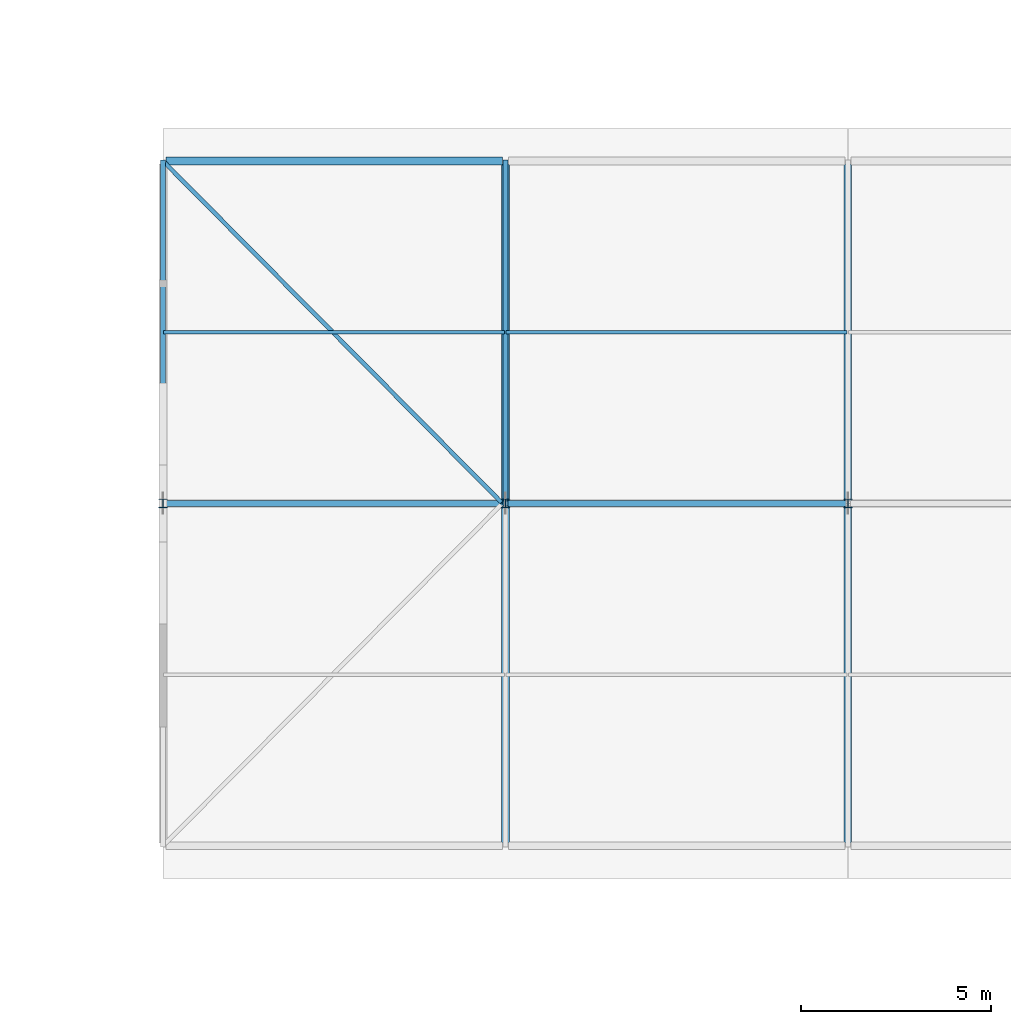
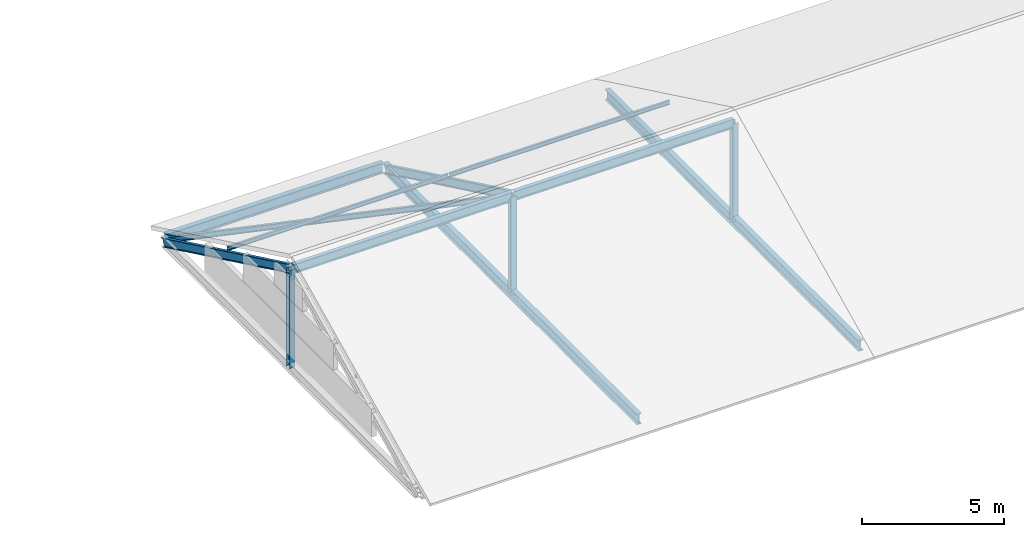
# One storey, part 11 of 25: 10 members, 3 beams.
"""IFC4 building model written with IfcOpenShell, lengths in metres."""

from ifc_helpers import new_model, si_unit, direction, frame, origin, origin_2d, place, context, subcontext, project, spatial, i_section, extrude, material, material_profile, profile_set, type_object, element, save


model = new_model("IFC4")

# Units and contexts
model_context = context("Model", 3, precision=1e-05, world=origin(), true_north=direction((0.0, 1.0)))
body_context = subcontext(model_context, "Body", "Model", "MODEL_VIEW")
ifc_project = project(units=[si_unit("LENGTHUNIT", "METRE"), si_unit("AREAUNIT", "SQUARE_METRE"), si_unit("VOLUMEUNIT", "CUBIC_METRE"), si_unit("PLANEANGLEUNIT", "RADIAN"), si_unit("MASSUNIT", "GRAM", prefix="KILO")], contexts=[model_context])

# Site, building, storey
site_placement = place(None, origin())
site = spatial("IfcSite", under=ifc_project, at=site_placement, CompositionType="ELEMENT")
building_placement = place(site_placement, origin())
building = spatial("IfcBuilding", under=site, at=building_placement, Name="Tharagai Park Tramway Depot", CompositionType="ELEMENT")
storey_placement = place(building_placement, frame((0.0, 0.0, 12.0)))
storey = spatial("IfcBuildingStorey", under=building, at=storey_placement, Name="L03", CompositionType="ELEMENT", Elevation=12.0)

# Beams
ifc_material_1 = material(Name="Steel E350", Category="steel")
ifc_material_profile_1 = material_profile(ifc_material_1, i_section(OverallWidth=0.199951171875, OverallDepth=0.449951171875, WebThickness=0.00927734375, FlangeThickness=0.015380859375, FilletRadius=0.014892578125, at=origin_2d()), Name="ISWB 450")
ifc_profile_set_1 = profile_set([ifc_material_profile_1], Name="Steel E350")
beam_type = type_object("IfcBeamType", Name="BM-17", PredefinedType="BEAM", material=ifc_profile_set_1)
beam_placement = place(storey_placement, frame((135.080078125, 27.0, -0.47509765625), z_axis=(1.0, 0.0, 0.0), x_axis=(0.0, 1.0, 0.0)))
element("IfcBeam", 1, at=beam_placement, inside=storey, type_object=beam_type, Name="V5 Roof Eave Girder BM-17", PredefinedType="BEAM", context=body_context, shape_type="SweptSolid", body=[
    extrude(i_section(OverallWidth=0.199951171875, OverallDepth=0.449951171875, WebThickness=0.00927734375, FlangeThickness=0.015380859375, FilletRadius=0.014892578125, at=origin_2d()), origin(), (0.0, 0.0, 1.0), 8.83984375),
])
for number, where, z_axis, x_axis, name in (
    (2, (144.0, 9.080078125, -0.47509765625), (0.0, 1.0, 0.0), (-1.0, 0.0, 0.0), "V5 Gable Tie Girder BM-17"),
    (3, (153.0, 9.080078125, -0.47509765625), (0.0, 1.0, 0.0), (-1.0, 0.0, 0.0), "V5 Gable Tie Girder BM-17"),
):
    element("IfcBeam", number, at=place(storey_placement, frame(where, z_axis=z_axis, x_axis=x_axis)), inside=storey, type_object=beam_type, Name=name, PredefinedType="BEAM", context=body_context, shape_type="SweptSolid", body=[
        extrude(i_section(OverallWidth=0.199951171875, OverallDepth=0.449951171875, WebThickness=0.00927734375, FlangeThickness=0.015380859375, FilletRadius=0.014892578125, at=origin_2d()), origin(), (0.0, 0.0, 1.0), 17.83984375),
    ])

# Members
ifc_material_profile_2 = material_profile(ifc_material_1, i_section(OverallWidth=0.22509765625, OverallDepth=0.22509765625, WebThickness=0.008544921875, FlangeThickness=0.009033203125, FilletRadius=0.010009765625, at=origin_2d()), Name="ISHB 225")
ifc_profile_set_2 = profile_set([ifc_material_profile_2], Name="Steel E350")
member_type_1 = type_object("IfcMemberType", Name="BR-02", PredefinedType="BRACE", material=ifc_profile_set_2)
for number, where, z_axis, x_axis, name in (
    (4, (135.0, 18.0, -0.47509765625), (0.0, 0.0, 1.0), (1.0, 0.0, 0.0), "V5 Gable King Strut BR-02"),
    (5, (144.0, 18.0, -0.47509765625), (0.0, 0.0, 1.0), (1.0, 0.0, 0.0), "V5 Gable King Strut BR-02"),
    (6, (153.0, 18.0, -0.47509765625), (0.0, 0.0, 1.0), (1.0, 0.0, 0.0), "V5 Gable King Strut BR-02"),
):
    element("IfcMember", number, at=place(storey_placement, frame(where, z_axis=z_axis, x_axis=x_axis)), inside=storey, type_object=member_type_1, Name=name, PredefinedType="BRACE", context=body_context, shape_type="SweptSolid", body=[
        extrude(i_section(OverallWidth=0.22509765625, OverallDepth=0.22509765625, WebThickness=0.008544921875, FlangeThickness=0.009033203125, FilletRadius=0.010009765625, at=origin_2d()), origin(), (0.0, 0.0, 1.0), 4.20947265625),
    ])
ifc_material_profile_3 = material_profile(ifc_material_1, i_section(OverallWidth=0.110107421875, OverallDepth=0.22509765625, WebThickness=0.006591796875, FlangeThickness=0.01171875, FilletRadius=0.011962890625, at=origin_2d()), Name="ISMB 225")
ifc_profile_set_3 = profile_set([ifc_material_profile_3], Name="Steel E350")
member_type_2 = type_object("IfcMemberType", Name="BR-04", PredefinedType="BRACE", material=ifc_profile_set_3)
member_placement = place(storey_placement, frame((135.080078125, 26.919921875, -0.47509765625), z_axis=(0.667812653519, -0.67386221578, 0.316126515724), x_axis=(0.710287879152, 0.703911307432, 0.0)))
element("IfcMember", 7, at=member_placement, inside=storey, type_object=member_type_2, Name="V5 Roof Wind Brace BR-04", PredefinedType="BRACE", context=body_context, shape_type="SweptSolid", body=[
    extrude(i_section(OverallWidth=0.110107421875, OverallDepth=0.22509765625, WebThickness=0.006591796875, FlangeThickness=0.01171875, FilletRadius=0.011962890625, at=origin_2d()), origin(), (0.0, 0.0, 1.0), 13.237060546875),
])
ifc_material_2 = material(Name="Steel E250", Category="steel")
ifc_material_profile_4 = material_profile(ifc_material_2, i_section(OverallWidth=0.090087890625, OverallDepth=0.175048828125, WebThickness=0.005615234375, FlangeThickness=0.009033203125, FilletRadius=0.010009765625, at=origin_2d()), Name="ISMB 175")
ifc_profile_set_4 = profile_set([ifc_material_profile_4], Name="Steel E250")
member_type_3 = type_object("IfcMemberType", Name="PR-01", PredefinedType="PURLIN", material=ifc_profile_set_4)
for number, where, z_axis, x_axis, name in (
    (8, (135.02001953125, 22.5, 1.85546875), (1.0, 0.0, 0.0), (0.0, 1.0, 0.0), "V5 Roof Purlin PR-01"),
    (9, (144.02001953125, 22.5, 1.85546875), (1.0, 0.0, 0.0), (0.0, 1.0, 0.0), "V5 Roof Purlin PR-01"),
):
    element("IfcMember", number, at=place(storey_placement, frame(where, z_axis=z_axis, x_axis=x_axis)), inside=storey, type_object=member_type_3, Name=name, PredefinedType="PURLIN", context=body_context, shape_type="SweptSolid", body=[
        extrude(i_section(OverallWidth=0.090087890625, OverallDepth=0.175048828125, WebThickness=0.005615234375, FlangeThickness=0.009033203125, FilletRadius=0.010009765625, at=origin_2d()), origin(), (0.0, 0.0, 1.0), 8.9599609375),
    ])
ifc_material_profile_5 = material_profile(ifc_material_1, i_section(OverallWidth=0.139892578125, OverallDepth=0.35009765625, WebThickness=0.008056640625, FlangeThickness=0.01416015625, FilletRadius=0.013916015625, at=origin_2d()), Name="ISMB 350")
ifc_profile_set_5 = profile_set([ifc_material_profile_5], Name="Steel E350")
member_type_4 = type_object("IfcMemberType", Name="RF-01", PredefinedType="RAFTER", material=ifc_profile_set_5)
for number, where, z_axis, x_axis, name in (
    (10, (135.0, 18.0, 3.734375), (0.0, 0.901650825815, -0.432464782736), (-1.0, 0.0, 0.0), "V5 Pitched Rafter RF-01 North"),
    (11, (144.0, 18.0, 3.734375), (0.0, 0.901650825815, -0.432464782736), (-1.0, 0.0, 0.0), "V5 Pitched Rafter RF-01 North"),
):
    element("IfcMember", number, at=place(storey_placement, frame(where, z_axis=z_axis, x_axis=x_axis)), inside=storey, type_object=member_type_4, Name=name, PredefinedType="RAFTER", context=body_context, shape_type="SweptSolid", body=[
        extrude(i_section(OverallWidth=0.139892578125, OverallDepth=0.35009765625, WebThickness=0.008056640625, FlangeThickness=0.01416015625, FilletRadius=0.013916015625, at=origin_2d()), origin(), (0.0, 0.0, 1.0), 9.92626953125),
    ])
ifc_material_profile_6 = material_profile(ifc_material_1, i_section(OverallWidth=0.1650390625, OverallDepth=0.39990234375, WebThickness=0.008056640625, FlangeThickness=0.012451171875, FilletRadius=0.013916015625, at=origin_2d()), Name="ISLB 400")
ifc_profile_set_6 = profile_set([ifc_material_profile_6], Name="Steel E350")
member_type_5 = type_object("IfcMemberType", Name="TC-04", PredefinedType="CHORD", material=ifc_profile_set_6)
for number, where, z_axis, x_axis, name in (
    (12, (135.0400390625, 18.0, 3.70947265625), (1.0, 0.0, 0.0), (0.0, 1.0, 0.0), "V5 Roof Ridge Chord TC-04"),
    (13, (144.0400390625, 18.0, 3.70947265625), (1.0, 0.0, 0.0), (0.0, 1.0, 0.0), "V5 Roof Ridge Chord TC-04"),
):
    element("IfcMember", number, at=place(storey_placement, frame(where, z_axis=z_axis, x_axis=x_axis)), inside=storey, type_object=member_type_5, Name=name, PredefinedType="CHORD", context=body_context, shape_type="SweptSolid", body=[
        extrude(i_section(OverallWidth=0.1650390625, OverallDepth=0.39990234375, WebThickness=0.008056640625, FlangeThickness=0.012451171875, FilletRadius=0.013916015625, at=origin_2d()), origin(), (0.0, 0.0, 1.0), 8.919921875),
    ])

save(model, "model.ifc")
